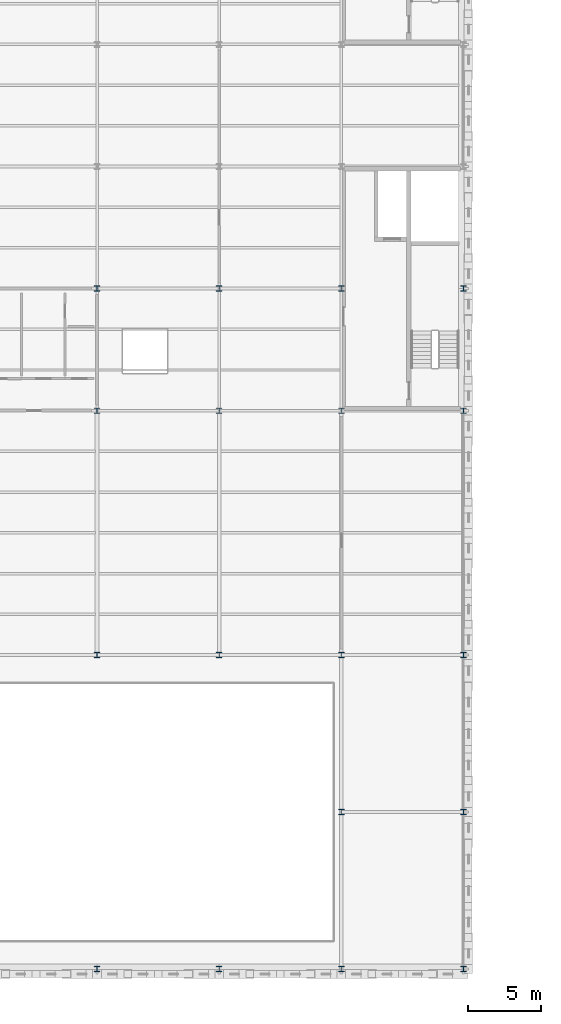
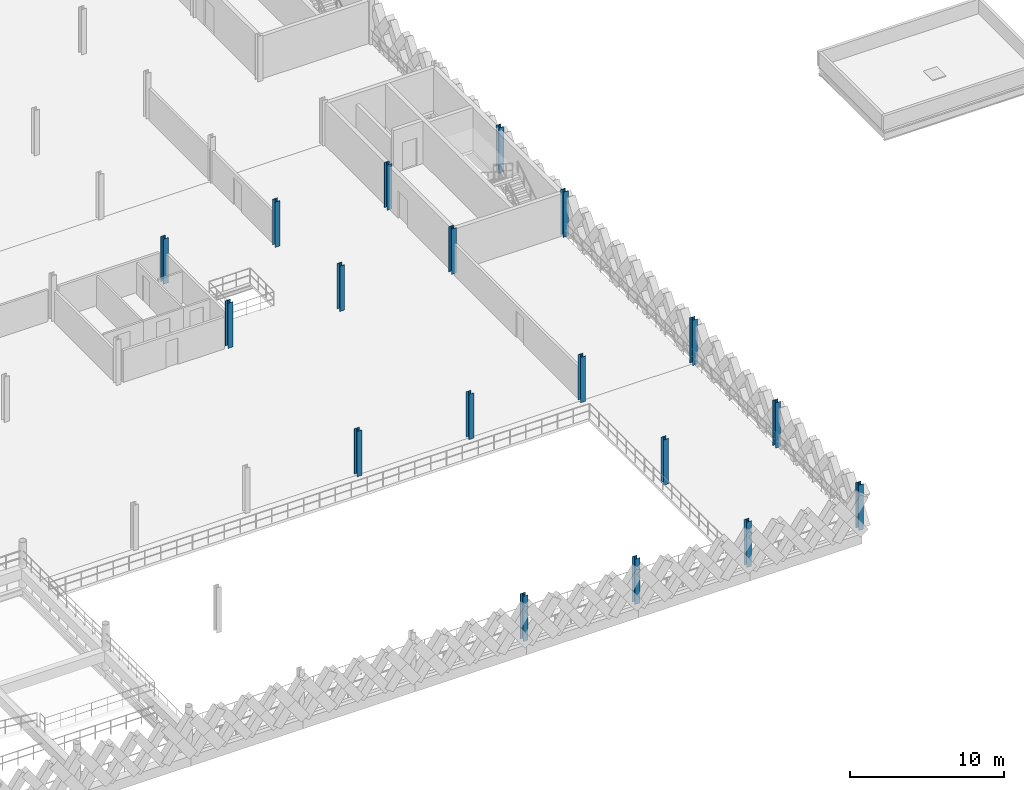
# One storey, part 5 of 62: 18 columns.
"""IFC4 building model written with IfcOpenShell, lengths in metres."""

from ifc_helpers import new_model, si_unit, direction, frame, origin, origin_2d, place, context, subcontext, project, spatial, i_section, extrude, material, material_profile, profile_set, type_object, element, save


model = new_model("IFC4")

# Units and contexts
model_context = context("Model", 3, precision=1e-05, world=origin(), true_north=direction((0.0, 1.0)))
body_context = subcontext(model_context, "Body", "Model", "MODEL_VIEW")
ifc_project = project(units=[si_unit("LENGTHUNIT", "METRE"), si_unit("AREAUNIT", "SQUARE_METRE"), si_unit("VOLUMEUNIT", "CUBIC_METRE"), si_unit("PLANEANGLEUNIT", "RADIAN"), si_unit("MASSUNIT", "GRAM", prefix="KILO"), si_unit("THERMODYNAMICTEMPERATUREUNIT", "KELVIN"), si_unit("POWERUNIT", "WATT")], contexts=[model_context])

# Site, building, storey
site_placement = place(None, origin())
site = spatial("IfcSite", under=ifc_project, at=site_placement, CompositionType="ELEMENT")
building_placement = place(site_placement, origin())
building = spatial("IfcBuilding", under=site, at=building_placement, Name="Tembeka Court Mobility Hub", CompositionType="ELEMENT")
storey_placement = place(building_placement, frame((0.0, 0.0, 16.199951171875)))
storey = spatial("IfcBuildingStorey", under=building, at=storey_placement, Name="L04", CompositionType="ELEMENT", Elevation=16.199951171875)

# Columns
ifc_material = material(Name="Steel S355", Category="steel")
ifc_material_profile = material_profile(ifc_material, i_section(OverallWidth=0.373046875, OverallDepth=0.367919921875, WebThickness=0.014404296875, FlangeThickness=0.023681640625, FilletRadius=0.01513671875, at=origin_2d()), Name="UKC 356x368x177")
ifc_profile_set = profile_set([ifc_material_profile], Name="Steel S355")
column_type = type_object("IfcColumnType", Name="COL-C03", PredefinedType="COLUMN", material=ifc_profile_set)
for number, where, z_axis, x_axis, name in (
    (1, (67.199951171875, 0.0, 0.0), (0.0, 0.0, 1.0), (1.0, 0.0, 0.0), "Column C03 (L04-093)"),
    (2, (67.199951171875, 21.60009765625, 0.0), (0.0, 0.0, 1.0), (1.0, 0.0, 0.0), "Column C03 (L04-094)"),
    (3, (67.199951171875, 38.39990234375, 0.0), (0.0, 0.0, 1.0), (1.0, 0.0, 0.0), "Column C03 (L04-095)"),
    (4, (67.199951171875, 46.800048828125, 0.0), (0.0, 0.0, 1.0), (1.0, 0.0, 0.0), "Column C03 (L04-096)"),
    (5, (75.60009765625, 0.0, 0.0), (0.0, 0.0, 1.0), (1.0, 0.0, 0.0), "Column C03 (L04-103)"),
    (6, (75.60009765625, 21.60009765625, 0.0), (0.0, 0.0, 1.0), (1.0, 0.0, 0.0), "Column C03 (L04-104)"),
    (7, (75.60009765625, 38.39990234375, 0.0), (0.0, 0.0, 1.0), (1.0, 0.0, 0.0), "Column C03 (L04-105)"),
    (8, (75.60009765625, 46.800048828125, 0.0), (0.0, 0.0, 1.0), (1.0, 0.0, 0.0), "Column C03 (L04-106)"),
    (9, (84.0, 0.0, 0.0), (0.0, 0.0, 1.0), (1.0, 0.0, 0.0), "Column C03 (L04-113)"),
    (10, (84.0, 10.800048828125, 0.0), (0.0, 0.0, 1.0), (1.0, 0.0, 0.0), "Column C03 (L04-114)"),
    (11, (84.0, 21.60009765625, 0.0), (0.0, 0.0, 1.0), (1.0, 0.0, 0.0), "Column C03 (L04-115)"),
    (12, (84.0, 38.39990234375, 0.0), (0.0, 0.0, 1.0), (1.0, 0.0, 0.0), "Column C03 (L04-116)"),
    (13, (84.0, 46.800048828125, 0.0), (0.0, 0.0, 1.0), (1.0, 0.0, 0.0), "Column C03 (L04-117)"),
    (14, (92.39990234375, 0.0, 0.0), (0.0, 0.0, 1.0), (1.0, 0.0, 0.0), "Column C03 (L04-125)"),
    (15, (92.39990234375, 10.800048828125, 0.0), (0.0, 0.0, 1.0), (1.0, 0.0, 0.0), "Column C03 (L04-126)"),
    (16, (92.39990234375, 21.60009765625, 0.0), (0.0, 0.0, 1.0), (1.0, 0.0, 0.0), "Column C03 (L04-127)"),
    (17, (92.39990234375, 38.39990234375, 0.0), (0.0, 0.0, 1.0), (1.0, 0.0, 0.0), "Column C03 (L04-128)"),
    (18, (92.39990234375, 46.800048828125, 0.0), (0.0, 0.0, 1.0), (1.0, 0.0, 0.0), "Column C03 (L04-129)"),
):
    element("IfcColumn", number, at=place(storey_placement, frame(where, z_axis=z_axis, x_axis=x_axis)), inside=storey, type_object=column_type, Name=name, PredefinedType="COLUMN", context=body_context, shape_type="SweptSolid", body=[
        extrude(i_section(OverallWidth=0.373046875, OverallDepth=0.367919921875, WebThickness=0.014404296875, FlangeThickness=0.023681640625, FilletRadius=0.01513671875, at=origin_2d()), origin(), (0.0, 0.0, 1.0), 3.60009765625),
    ])

save(model, "model.ifc")
